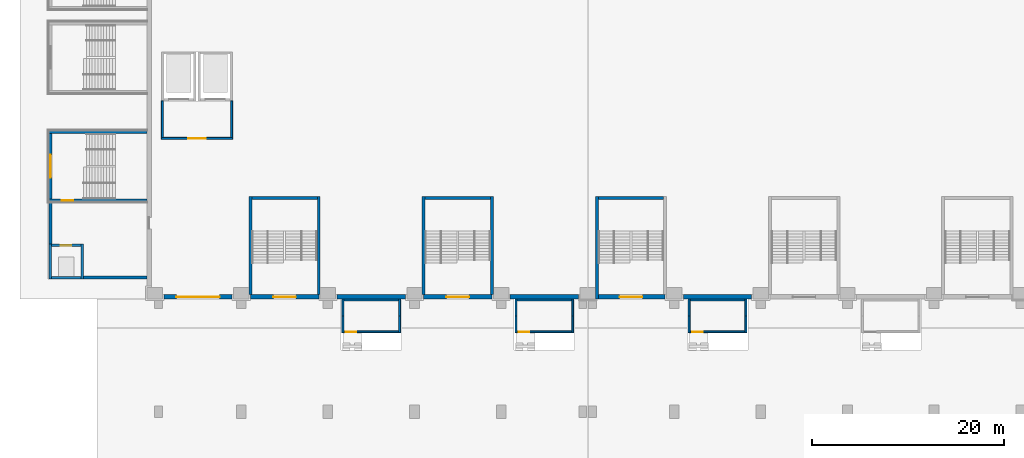
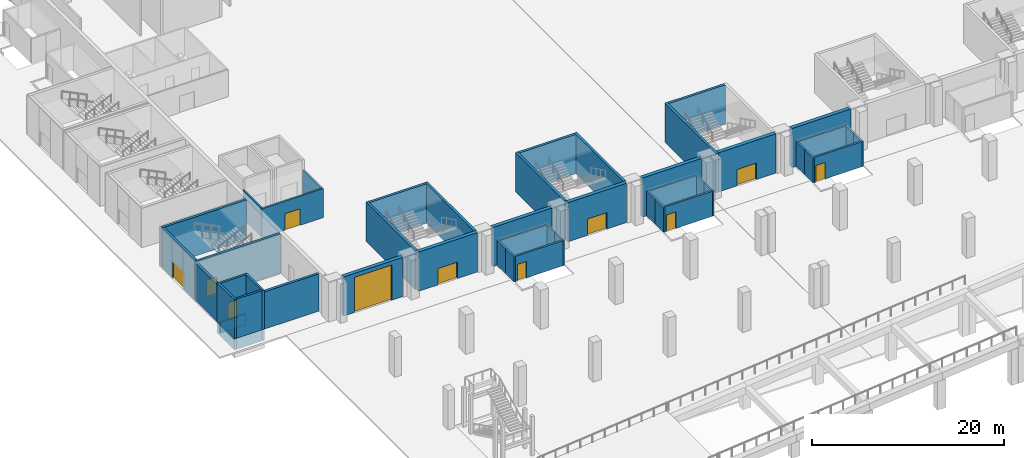
# One storey, part 37 of 77: 49 walls, 11 doors, 11 openings.
"""IFC4 building model written with IfcOpenShell, lengths in metres."""

import ifcopenshell
import ifcopenshell.guid

model = None  # the IFC model being written
_history = None  # IfcOwnerHistory: only IFC2X3 demands one
_inside = {}  # id of a spatial element -> (the spatial element, [elements in it])
_under = {}  # id of a project, library or spatial element -> (it, [spatial elements below it])
_declared = {}  # id of a project -> (the project, [libraries it declares])
_typed = {}  # id of a type object -> (the type object, [elements of that type])
_made_of = {}  # id of a material, layer set ... -> (it, [elements and type objects made of it])


def new_model(schema):
    """Start an empty IFC model of exactly this schema.

    Asked for "IFC4X3", IfcOpenShell would pick the latest addendum, in which some entities
    have other attributes; the version numbers below select the first issue.
    IFC2X3 requires an IfcOwnerHistory on every rooted entity: one is made here for all.
    """
    global model, _history
    if schema == "IFC4X3":
        model = ifcopenshell.file(schema_version=(4, 3, 0, 0))
    else:
        model = ifcopenshell.file(schema=schema)
    _inside.clear()
    _under.clear()
    _declared.clear()
    _typed.clear()
    _made_of.clear()
    _history = None
    if model.schema == "IFC2X3":
        org = make("IfcOrganization", Name="unknown")
        user = make(
            "IfcPersonAndOrganization",
            ThePerson=make("IfcPerson", FamilyName="unknown"),
            TheOrganization=org,
        )
        app = make(
            "IfcApplication",
            ApplicationDeveloper=org,
            Version="unknown",
            ApplicationFullName="unknown",
            ApplicationIdentifier="unknown",
        )
        _history = make(
            "IfcOwnerHistory",
            OwningUser=user,
            OwningApplication=app,
            ChangeAction="ADDED",
            CreationDate=0,
        )
    return model


def make(cls, **values):
    """One entity of the class cls with the attributes given. An attribute that is None is left unset."""
    return model.create_entity(
        cls, **{name: value for name, value in values.items() if value is not None}
    )


def rooted(cls, **values):
    """An entity with a GlobalId (a new one), such as an element, a storey or a relation."""
    return make(cls, GlobalId=ifcopenshell.guid.new(), OwnerHistory=_history, **values)


def si_unit(unit_type, name, prefix=None):
    """IfcSIUnit, for example si_unit("LENGTHUNIT", "METRE", prefix="MILLI")."""
    return make("IfcSIUnit", UnitType=unit_type, Prefix=prefix, Name=name)


def assignment(units):
    """IfcUnitAssignment: the units of a project."""
    return None if units is None else make("IfcUnitAssignment", Units=units)


def point(xyz):
    """IfcCartesianPoint."""
    return None if xyz is None else make("IfcCartesianPoint", Coordinates=xyz)


def direction(xyz):
    """IfcDirection."""
    return None if xyz is None else make("IfcDirection", DirectionRatios=xyz)


def frame(location, z_axis=None, x_axis=None):
    """IfcAxis2Placement3D, a coordinate frame: its origin and axes. An axis left out is left unset."""
    return make(
        "IfcAxis2Placement3D",
        Location=point(location),
        Axis=direction(z_axis),
        RefDirection=direction(x_axis),
    )


def frame_2d(location, x_axis=None):
    """IfcAxis2Placement2D, a coordinate frame in the plane: its origin and x axis."""
    return make(
        "IfcAxis2Placement2D", Location=point(location), RefDirection=direction(x_axis)
    )


def origin():
    """The frame at (0, 0, 0) with its axes left unset."""
    return frame((0.0, 0.0, 0.0))


def place(relative_to, where):
    """IfcLocalPlacement: puts the frame where relative to a parent placement (None: the world)."""
    return make(
        "IfcLocalPlacement", PlacementRelTo=relative_to, RelativePlacement=where
    )


def context(
    kind, dimensions, precision=None, world=None, true_north=None, identifier=None
):
    """IfcGeometricRepresentationContext, for example the 3D "Model" context."""
    return make(
        "IfcGeometricRepresentationContext",
        ContextIdentifier=identifier,
        ContextType=kind,
        CoordinateSpaceDimension=dimensions,
        Precision=precision,
        WorldCoordinateSystem=world,
        TrueNorth=true_north,
    )


def subcontext(parent, identifier, kind, view, scale=None):
    """IfcGeometricRepresentationSubContext, for example "Body" below "Model"."""
    return make(
        "IfcGeometricRepresentationSubContext",
        ContextIdentifier=identifier,
        ContextType=kind,
        ParentContext=parent,
        TargetScale=scale,
        TargetView=view,
    )


def project(units=None, contexts=None):
    """IfcProject with its units and contexts."""
    return rooted(
        "IfcProject",
        Name="project",
        RepresentationContexts=contexts,
        UnitsInContext=assignment(units),
    )


def spatial(cls, under=None, at=None, **own):
    """A site, building, storey or space (cls), placed at a placement, below another one or the project."""
    s = rooted(cls, ObjectPlacement=at, **own)
    if under is not None:
        _under.setdefault(under.id(), (under, []))[1].append(s)
    return s


def profile(cls, at=None, kind="AREA", **sizes):
    """A parametric profile (cls). Its sizes go by their IFC names, for example OverallWidth=200.0."""
    return make(cls, ProfileType=kind, Position=at, **sizes)


def rectangle(**sizes):
    """IfcRectangleProfileDef."""
    return profile("IfcRectangleProfileDef", **sizes)


def extrude(swept, where, along, depth):
    """IfcExtrudedAreaSolid: the profile swept, set in the frame where, extruded along a direction by depth."""
    return make(
        "IfcExtrudedAreaSolid",
        SweptArea=swept,
        Position=where,
        ExtrudedDirection=direction(along),
        Depth=depth,
    )


def shape(context_of_items, identifier, shape_type, items):
    """IfcShapeRepresentation: the items that make up one representation, for example the "Body"."""
    return make(
        "IfcShapeRepresentation",
        ContextOfItems=context_of_items,
        RepresentationIdentifier=identifier,
        RepresentationType=shape_type,
        Items=items,
    )


def material(Name=None, Category=None):
    """IfcMaterial."""
    return make("IfcMaterial", Name=Name, Category=Category)


def layer(
    of_material, thickness, ventilated=None, Name=None, Category=None, Priority=None
):
    """IfcMaterialLayer: one layer of a wall or slab, of a material (None: an air gap)."""
    return make(
        "IfcMaterialLayer",
        Material=of_material,
        LayerThickness=thickness,
        IsVentilated=ventilated,
        Name=Name,
        Category=Category,
        Priority=Priority,
    )


def layer_set(layers, Name=None):
    """IfcMaterialLayerSet."""
    return make("IfcMaterialLayerSet", MaterialLayers=layers, LayerSetName=Name)


def made_of(thing, what):
    """Note that an element or type object is made of a material, layer set ...; save() writes the relation."""
    if what is not None:
        _made_of.setdefault(what.id(), (what, []))[1].append(thing)
    return thing


def type_object(cls, material=None, **own):
    """A type object (cls), such as IfcWallType, which elements share."""
    return made_of(rooted(cls, **own), material)


def element(
    cls,
    number,
    at=None,
    inside=None,
    cuts=None,
    type_object=None,
    material=None,
    context=None,
    identifier="Body",
    shape_type=None,
    held_by="IfcProductDefinitionShape",
    body=None,
    shapes=None,
    **own,
):
    """One element of the class cls, such as IfcWall. Its Tag is "e" and its number.

    at: its placement. inside: the storey or other place that contains it. cuts: it is an
    opening in that element (IfcRelVoidsElement). A single representation is given by context,
    identifier, shape_type and body (its items); several are given by shapes. held_by: the class
    of the entity that holds the representations. save() writes the other relations.
    """
    e = rooted(cls, Tag="e%d" % number, ObjectPlacement=at, **own)
    if body is not None:
        shapes = [shape(context, identifier, shape_type, body)]
    if shapes is not None:
        e.Representation = make(held_by, Representations=shapes)
    if inside is not None:
        _inside.setdefault(inside.id(), (inside, []))[1].append(e)
    if cuts is not None:
        rooted(
            "IfcRelVoidsElement", RelatingBuildingElement=cuts, RelatedOpeningElement=e
        )
    if type_object is not None:
        _typed.setdefault(type_object.id(), (type_object, []))[1].append(e)
    return made_of(e, material)


def fill(opening, filler):
    """IfcRelFillsElement: the door or window that sits in an opening."""
    return rooted(
        "IfcRelFillsElement",
        RelatingOpeningElement=opening,
        RelatedBuildingElement=filler,
    )


def aggregate(whole, parts):
    """IfcRelAggregates: a whole, such as a stair, and the parts it consists of."""
    return rooted("IfcRelAggregates", RelatingObject=whole, RelatedObjects=parts)


def save(model, path):
    """Write the relations noted so far, then the file.

    IfcRelAggregates (storeys below a building ...), IfcRelContainedInSpatialStructure (elements
    in a storey), IfcRelDefinesByType, IfcRelAssociatesMaterial and IfcRelDeclares: one each for
    every whole, place, type object, material and project.
    """
    for whole, parts in _under.values():
        aggregate(whole, parts)
    for where, things in _inside.values():
        rooted(
            "IfcRelContainedInSpatialStructure",
            RelatedElements=things,
            RelatingStructure=where,
        )
    for kind, things in _typed.values():
        rooted("IfcRelDefinesByType", RelatedObjects=things, RelatingType=kind)
    for what, things in _made_of.values():
        rooted("IfcRelAssociatesMaterial", RelatedObjects=things, RelatingMaterial=what)
    for by, libraries in _declared.values():
        rooted("IfcRelDeclares", RelatingContext=by, RelatedDefinitions=libraries)
    model.write(path)


model = new_model("IFC4")

# Units and contexts
model_context = context("Model", 3, precision=1e-05, world=origin(), true_north=direction((0.0, 1.0)))
body_context = subcontext(model_context, "Body", "Model", "MODEL_VIEW")
ifc_project = project(units=[si_unit("LENGTHUNIT", "METRE"), si_unit("AREAUNIT", "SQUARE_METRE"), si_unit("VOLUMEUNIT", "CUBIC_METRE"), si_unit("PLANEANGLEUNIT", "RADIAN"), si_unit("MASSUNIT", "GRAM", prefix="KILO")], contexts=[model_context])

# Site, building, storey
site_placement = place(None, origin())
site = spatial("IfcSite", under=ifc_project, at=site_placement, CompositionType="ELEMENT")
building_placement = place(site_placement, origin())
building = spatial("IfcBuilding", under=site, at=building_placement, Name="Aravalli Gate Trade Fair Centre", CompositionType="ELEMENT")
storey_placement = place(building_placement, origin())
storey = spatial("IfcBuildingStorey", under=building, at=storey_placement, Name="L00", CompositionType="ELEMENT", Elevation=0.0)

# Walls
ifc_material_1 = material(Name="Concrete M35", Category="concrete")
ifc_layer_1 = layer(ifc_material_1, 0.199951171875)
ifc_layer_set_1 = layer_set([ifc_layer_1], Name="Concrete M35")
wall_type_1 = type_object("IfcWallType", Name="Basement stair enclosure wall 200", PredefinedType="SOLIDWALL", material=ifc_layer_set_1)
for number, where, z_axis, x_axis, name in (
    (1, (25.550048828125, 45.39990234375, 0.0), (0.0, 0.0, 1.0), (0.0, -1.0, 0.0), "Basement stair S1 enclosure wall L1 L00"),
    (2, (25.550048828125, 43.64990234375, 0.0), (0.0, 0.0, 1.0), (0.0, -1.0, 0.0), "Basement stair S1 enclosure wall L2 L00"),
    (3, (31.449951171875, 45.39990234375, 0.0), (0.0, 0.0, 1.0), (0.0, -1.0, 0.0), "Basement stair S1 enclosure wall R1 L00"),
    (4, (31.449951171875, 43.64990234375, 0.0), (0.0, 0.0, 1.0), (0.0, -1.0, 0.0), "Basement stair S1 enclosure wall R2 L00"),
):
    element("IfcWall", number, at=place(storey_placement, frame(where, z_axis=z_axis, x_axis=x_axis)), inside=storey, type_object=wall_type_1, Name=name, PredefinedType="SOLIDWALL", context=body_context, shape_type="SweptSolid", body=[
        extrude(rectangle(XDim=1.75, YDim=0.199951171875, at=frame_2d((0.875, 0.0))), origin(), (0.0, 0.0, 1.0), 3.199951171875),
    ])

# Wall, opening, door
wall_1_placement = place(storey_placement, frame((25.64990234375, 42.0, 0.0), z_axis=(0.0, 0.0, 1.0), x_axis=(1.0, 0.0, 0.0)))
wall_1 = element("IfcWall", 5, at=wall_1_placement, inside=storey, type_object=wall_type_1, Name="Basement stair S1 enclosure wall O L00", PredefinedType="SOLIDWALL", context=body_context, shape_type="SweptSolid", body=[
    extrude(rectangle(XDim=5.7001953125, YDim=0.199951171875, at=frame_2d((2.85009765625, 0.0))), origin(), (0.0, 0.0, 1.0), 3.199951171875),
])
opening_1_placement = place(wall_1_placement, frame((0.199951171875, 0.0, 0.0)))
opening_1 = element("IfcOpeningElement", 6, at=opening_1_placement, cuts=wall_1, Name="Opening B-L00-07", PredefinedType="OPENING", context=body_context, shape_type="SweptSolid", body=[
    extrude(rectangle(XDim=1.10009765625, YDim=2.10009765625, at=frame_2d((0.550048828125, 1.050048828125))), frame((0.0, 0.10986328125, 0.0), z_axis=(0.0, -1.0, 0.0), x_axis=(1.0, 0.0, 0.0)), (0.0, 0.0, 1.0), 0.219970703125),
])
ifc_material_2 = material(Name="Steel", Category="steel")
door_type_1 = type_object("IfcDoorType", Name="Basement stair door 1100x2100", OperationType="SINGLE_SWING_LEFT", PredefinedType="DOOR", material=ifc_material_2)
door_1_placement = place(opening_1_placement, frame((1.10009765625, 0.0, 0.0), z_axis=(0.0, 0.0, 1.0), x_axis=(-1.0, 0.0, 0.0)))
door_1 = element("IfcDoor", 7, at=door_1_placement, inside=storey, type_object=door_type_1, Name="Basement stair S1 discharge door", OperationType="SINGLE_SWING_RIGHT", OverallHeight=2.10009765625, OverallWidth=1.10009765625, PredefinedType="DOOR", context=body_context, shape_type="SweptSolid", body=[
    extrude(rectangle(XDim=1.10009765625, YDim=2.10009765625, at=frame_2d((0.550048828125, 1.050048828125))), frame((0.0, 0.02490234375, 0.0), z_axis=(0.0, -1.0, 0.0), x_axis=(1.0, 0.0, 0.0)), (0.0, 0.0, 1.0), 0.050048828125),
])
fill(opening_1, door_1)

# Walls
wall_2_placement = place(storey_placement, frame((25.64990234375, 45.300048828125, 0.0), z_axis=(0.0, 0.0, 1.0), x_axis=(1.0, 0.0, 0.0)))
element("IfcWall", 8, at=wall_2_placement, inside=storey, type_object=wall_type_1, Name="Basement stair S1 enclosure wall I L00", PredefinedType="SOLIDWALL", context=body_context, shape_type="SweptSolid", body=[
    extrude(rectangle(XDim=5.7001953125, YDim=0.199951171875, at=frame_2d((2.85009765625, 0.0))), origin(), (0.0, 0.0, 1.0), 3.199951171875),
])
for number, where, z_axis, x_axis, name in (
    (9, (43.550048828125, 45.39990234375, 0.0), (0.0, 0.0, 1.0), (0.0, -1.0, 0.0), "Basement stair S2 enclosure wall L1 L00"),
    (10, (43.550048828125, 43.64990234375, 0.0), (0.0, 0.0, 1.0), (0.0, -1.0, 0.0), "Basement stair S2 enclosure wall L2 L00"),
    (11, (49.449951171875, 45.39990234375, 0.0), (0.0, 0.0, 1.0), (0.0, -1.0, 0.0), "Basement stair S2 enclosure wall R1 L00"),
    (12, (49.449951171875, 43.64990234375, 0.0), (0.0, 0.0, 1.0), (0.0, -1.0, 0.0), "Basement stair S2 enclosure wall R2 L00"),
):
    element("IfcWall", number, at=place(storey_placement, frame(where, z_axis=z_axis, x_axis=x_axis)), inside=storey, type_object=wall_type_1, Name=name, PredefinedType="SOLIDWALL", context=body_context, shape_type="SweptSolid", body=[
        extrude(rectangle(XDim=1.75, YDim=0.199951171875, at=frame_2d((0.875, 0.0))), origin(), (0.0, 0.0, 1.0), 3.199951171875),
    ])

# Wall, opening, door
wall_3_placement = place(storey_placement, frame((43.64990234375, 42.0, 0.0), z_axis=(0.0, 0.0, 1.0), x_axis=(1.0, 0.0, 0.0)))
wall_3 = element("IfcWall", 13, at=wall_3_placement, inside=storey, type_object=wall_type_1, Name="Basement stair S2 enclosure wall O L00", PredefinedType="SOLIDWALL", context=body_context, shape_type="SweptSolid", body=[
    extrude(rectangle(XDim=5.7001953125, YDim=0.199951171875, at=frame_2d((2.85009765625, 0.0))), origin(), (0.0, 0.0, 1.0), 3.199951171875),
])
opening_2_placement = place(wall_3_placement, frame((0.199951171875, 0.0, 0.0)))
opening_2 = element("IfcOpeningElement", 14, at=opening_2_placement, cuts=wall_3, Name="Opening B-L00-08", PredefinedType="OPENING", context=body_context, shape_type="SweptSolid", body=[
    extrude(rectangle(XDim=1.10009765625, YDim=2.10009765625, at=frame_2d((0.550048828125, 1.050048828125))), frame((0.0, 0.10986328125, 0.0), z_axis=(0.0, -1.0, 0.0), x_axis=(1.0, 0.0, 0.0)), (0.0, 0.0, 1.0), 0.219970703125),
])
door_2_placement = place(opening_2_placement, frame((1.10009765625, 0.0, 0.0), z_axis=(0.0, 0.0, 1.0), x_axis=(-1.0, 0.0, 0.0)))
door_2 = element("IfcDoor", 15, at=door_2_placement, inside=storey, type_object=door_type_1, Name="Basement stair S2 discharge door", OperationType="SINGLE_SWING_LEFT", OverallHeight=2.10009765625, OverallWidth=1.10009765625, PredefinedType="DOOR", context=body_context, shape_type="SweptSolid", body=[
    extrude(rectangle(XDim=1.10009765625, YDim=2.10009765625, at=frame_2d((0.550048828125, 1.050048828125))), frame((0.0, 0.02490234375, 0.0), z_axis=(0.0, -1.0, 0.0), x_axis=(1.0, 0.0, 0.0)), (0.0, 0.0, 1.0), 0.050048828125),
])
fill(opening_2, door_2)

# Walls
wall_4_placement = place(storey_placement, frame((43.64990234375, 45.300048828125, 0.0), z_axis=(0.0, 0.0, 1.0), x_axis=(1.0, 0.0, 0.0)))
element("IfcWall", 16, at=wall_4_placement, inside=storey, type_object=wall_type_1, Name="Basement stair S2 enclosure wall I L00", PredefinedType="SOLIDWALL", context=body_context, shape_type="SweptSolid", body=[
    extrude(rectangle(XDim=5.7001953125, YDim=0.199951171875, at=frame_2d((2.85009765625, 0.0))), origin(), (0.0, 0.0, 1.0), 3.199951171875),
])
for number, where, z_axis, x_axis, name in (
    (17, (61.550048828125, 45.39990234375, 0.0), (0.0, 0.0, 1.0), (0.0, -1.0, 0.0), "Basement stair S3 enclosure wall L1 L00"),
    (18, (61.550048828125, 43.64990234375, 0.0), (0.0, 0.0, 1.0), (0.0, -1.0, 0.0), "Basement stair S3 enclosure wall L2 L00"),
    (19, (67.449951171875, 45.39990234375, 0.0), (0.0, 0.0, 1.0), (0.0, -1.0, 0.0), "Basement stair S3 enclosure wall R1 L00"),
    (20, (67.449951171875, 43.64990234375, 0.0), (0.0, 0.0, 1.0), (0.0, -1.0, 0.0), "Basement stair S3 enclosure wall R2 L00"),
):
    element("IfcWall", number, at=place(storey_placement, frame(where, z_axis=z_axis, x_axis=x_axis)), inside=storey, type_object=wall_type_1, Name=name, PredefinedType="SOLIDWALL", context=body_context, shape_type="SweptSolid", body=[
        extrude(rectangle(XDim=1.75, YDim=0.199951171875, at=frame_2d((0.875, 0.0))), origin(), (0.0, 0.0, 1.0), 3.199951171875),
    ])

# Wall, opening, door
wall_5_placement = place(storey_placement, frame((61.64990234375, 42.0, 0.0), z_axis=(0.0, 0.0, 1.0), x_axis=(1.0, 0.0, 0.0)))
wall_5 = element("IfcWall", 21, at=wall_5_placement, inside=storey, type_object=wall_type_1, Name="Basement stair S3 enclosure wall O L00", PredefinedType="SOLIDWALL", context=body_context, shape_type="SweptSolid", body=[
    extrude(rectangle(XDim=5.7001953125, YDim=0.199951171875, at=frame_2d((2.85009765625, 0.0))), origin(), (0.0, 0.0, 1.0), 3.199951171875),
])
opening_3_placement = place(wall_5_placement, frame((0.199951171875, 0.0, 0.0)))
opening_3 = element("IfcOpeningElement", 22, at=opening_3_placement, cuts=wall_5, Name="Opening B-L00-09", PredefinedType="OPENING", context=body_context, shape_type="SweptSolid", body=[
    extrude(rectangle(XDim=1.10009765625, YDim=2.10009765625, at=frame_2d((0.550048828125, 1.050048828125))), frame((0.0, 0.10986328125, 0.0), z_axis=(0.0, -1.0, 0.0), x_axis=(1.0, 0.0, 0.0)), (0.0, 0.0, 1.0), 0.219970703125),
])
door_3_placement = place(opening_3_placement, frame((1.10009765625, 0.0, 0.0), z_axis=(0.0, 0.0, 1.0), x_axis=(-1.0, 0.0, 0.0)))
door_3 = element("IfcDoor", 23, at=door_3_placement, inside=storey, type_object=door_type_1, Name="Basement stair S3 discharge door", OperationType="SINGLE_SWING_RIGHT", OverallHeight=2.10009765625, OverallWidth=1.10009765625, PredefinedType="DOOR", context=body_context, shape_type="SweptSolid", body=[
    extrude(rectangle(XDim=1.10009765625, YDim=2.10009765625, at=frame_2d((0.550048828125, 1.050048828125))), frame((0.0, 0.02490234375, 0.0), z_axis=(0.0, -1.0, 0.0), x_axis=(1.0, 0.0, 0.0)), (0.0, 0.0, 1.0), 0.050048828125),
])
fill(opening_3, door_3)

# Walls
wall_6_placement = place(storey_placement, frame((61.64990234375, 45.300048828125, 0.0), z_axis=(0.0, 0.0, 1.0), x_axis=(1.0, 0.0, 0.0)))
element("IfcWall", 24, at=wall_6_placement, inside=storey, type_object=wall_type_1, Name="Basement stair S3 enclosure wall I L00", PredefinedType="SOLIDWALL", context=body_context, shape_type="SweptSolid", body=[
    extrude(rectangle(XDim=5.7001953125, YDim=0.199951171875, at=frame_2d((2.85009765625, 0.0))), origin(), (0.0, 0.0, 1.0), 3.199951171875),
])
ifc_material_3 = material(Name="Concrete M40", Category="concrete")
ifc_layer_2 = layer(ifc_material_3, 0.300048828125)
ifc_layer_set_2 = layer_set([ifc_layer_2], Name="Concrete M40")
wall_type_2 = type_object("IfcWallType", Name="Firefighting block wall RC 300", PredefinedType="SHEAR", material=ifc_layer_set_2)
wall_7_placement = place(storey_placement, frame((-4.85009765625, 51.10009765625, 0.0), z_axis=(0.0, 0.0, 1.0), x_axis=(0.0, 1.0, 0.0)))
element("IfcWall", 25, at=wall_7_placement, inside=storey, type_object=wall_type_2, Name="Firefighting lobby west wall L00", PredefinedType="SHEAR", context=body_context, shape_type="SweptSolid", body=[
    extrude(rectangle(XDim=4.39990234375, YDim=0.300048828125, at=frame_2d((2.199951171875, 0.0))), origin(), (0.0, 0.0, 1.0), 4.75),
])
wall_8_placement = place(storey_placement, frame((-1.39990234375, 47.64990234375, 0.0), z_axis=(0.0, 0.0, 1.0), x_axis=(1.0, 0.0, 0.0)))
element("IfcWall", 26, at=wall_8_placement, inside=storey, type_object=wall_type_2, Name="Firefighting lobby south wall L00", PredefinedType="SHEAR", context=body_context, shape_type="SweptSolid", body=[
    extrude(rectangle(XDim=6.599853515625, YDim=0.300048828125, at=frame_2d((3.2998046875, 0.0))), origin(), (0.0, 0.0, 1.0), 4.75),
])
ifc_layer_3 = layer(ifc_material_3, 0.25)
ifc_layer_set_3 = layer_set([ifc_layer_3], Name="Concrete M40")
wall_type_3 = type_object("IfcWallType", Name="Firefighting shaft wall RC 250", PredefinedType="SHEAR", material=ifc_layer_set_3)
for number, where, z_axis, x_axis, name in (
    (27, (-4.875, 47.5, 0.0), (0.0, 0.0, 1.0), (0.0, 1.0, 0.0), "Firefighting lift shaft wall W L00"),
    (28, (-1.52490234375, 47.5, 0.0), (0.0, 0.0, 1.0), (0.0, 1.0, 0.0), "Firefighting lift shaft wall E L00"),
):
    element("IfcWall", number, at=place(storey_placement, frame(where, z_axis=z_axis, x_axis=x_axis)), inside=storey, type_object=wall_type_3, Name=name, PredefinedType="SHEAR", context=body_context, shape_type="SweptSolid", body=[
        extrude(rectangle(XDim=3.60009765625, YDim=0.25, at=frame_2d((1.800048828125, 0.0))), origin(), (0.0, 0.0, 1.0), 5.0),
    ])

# Wall, opening, door
wall_9_placement = place(storey_placement, frame((-4.75, 50.97509765625, 0.0), z_axis=(0.0, 0.0, 1.0), x_axis=(1.0, 0.0, 0.0)))
wall_9 = element("IfcWall", 29, at=wall_9_placement, inside=storey, type_object=wall_type_3, Name="Firefighting lift shaft wall F L00", PredefinedType="SHEAR", context=body_context, shape_type="SweptSolid", body=[
    extrude(rectangle(XDim=3.10009765625, YDim=0.25, at=frame_2d((1.550048828125, 0.0))), origin(), (0.0, 0.0, 1.0), 5.0),
])
opening_4_placement = place(wall_9_placement, frame((1.0, 0.0, 0.0)))
opening_4 = element("IfcOpeningElement", 30, at=opening_4_placement, cuts=wall_9, Name="Opening H-L00-41", PredefinedType="OPENING", context=body_context, shape_type="SweptSolid", body=[
    extrude(rectangle(XDim=1.10009765625, YDim=2.10009765625, at=frame_2d((0.550048828125, 1.050048828125))), frame((0.0, 0.135009765625, 0.0), z_axis=(0.0, -1.0, 0.0), x_axis=(1.0, 0.0, 0.0)), (0.0, 0.0, 1.0), 0.27001953125),
])
door_type_2 = type_object("IfcDoorType", Name="Firefighting lift landing door", OperationType="SLIDING_TO_LEFT", PredefinedType="DOOR", material=ifc_material_2)
door_4_placement = place(opening_4_placement, origin())
door_4 = element("IfcDoor", 31, at=door_4_placement, inside=storey, type_object=door_type_2, Name="Firefighting lift landing door L00", OperationType="SLIDING_TO_LEFT", OverallHeight=2.10009765625, OverallWidth=1.10009765625, PredefinedType="DOOR", context=body_context, shape_type="SweptSolid", body=[
    extrude(rectangle(XDim=1.10009765625, YDim=2.10009765625, at=frame_2d((0.550048828125, 1.050048828125))), frame((0.0, 0.02490234375, 0.0), z_axis=(0.0, -1.0, 0.0), x_axis=(1.0, 0.0, 0.0)), (0.0, 0.0, 1.0), 0.050048828125),
])
fill(opening_4, door_4)

# Walls
wall_10_placement = place(storey_placement, frame((-4.75, 47.625, 0.0), z_axis=(0.0, 0.0, 1.0), x_axis=(1.0, 0.0, 0.0)))
element("IfcWall", 32, at=wall_10_placement, inside=storey, type_object=wall_type_3, Name="Firefighting lift shaft wall B L00", PredefinedType="SHEAR", context=body_context, shape_type="SweptSolid", body=[
    extrude(rectangle(XDim=3.10009765625, YDim=0.25, at=frame_2d((1.550048828125, 0.0))), origin(), (0.0, 0.0, 1.0), 5.0),
])
for number, where, z_axis, x_axis, name in (
    (33, (-4.875, 47.5, -1.39990234375), (0.0, 0.0, 1.0), (0.0, 1.0, 0.0), "Firefighting lift pit wall W"),
    (34, (-1.52490234375, 47.5, -1.39990234375), (0.0, 0.0, 1.0), (0.0, 1.0, 0.0), "Firefighting lift pit wall E"),
):
    element("IfcWall", number, at=place(storey_placement, frame(where, z_axis=z_axis, x_axis=x_axis)), inside=storey, type_object=wall_type_3, Name=name, PredefinedType="SHEAR", context=body_context, shape_type="SweptSolid", body=[
        extrude(rectangle(XDim=3.60009765625, YDim=0.25, at=frame_2d((1.800048828125, 0.0))), origin(), (0.0, 0.0, 1.0), 1.39990234375),
    ])
for number, where, z_axis, x_axis, name in (
    (35, (-4.75, 50.97509765625, -1.39990234375), (0.0, 0.0, 1.0), (1.0, 0.0, 0.0), "Firefighting lift pit wall F"),
    (36, (-4.75, 47.625, -1.39990234375), (0.0, 0.0, 1.0), (1.0, 0.0, 0.0), "Firefighting lift pit wall B"),
):
    element("IfcWall", number, at=place(storey_placement, frame(where, z_axis=z_axis, x_axis=x_axis)), inside=storey, type_object=wall_type_3, Name=name, PredefinedType="SHEAR", context=body_context, shape_type="SweptSolid", body=[
        extrude(rectangle(XDim=3.10009765625, YDim=0.25, at=frame_2d((1.550048828125, 0.0))), origin(), (0.0, 0.0, 1.0), 1.39990234375),
    ])

# Wall, opening, door
ifc_layer_4 = layer(ifc_material_3, 0.199951171875)
ifc_layer_set_4 = layer_set([ifc_layer_4], Name="Concrete M40")
wall_type_4 = type_object("IfcWallType", Name="Freight lobby wall RC 200", PredefinedType="SOLIDWALL", material=ifc_layer_set_4)
wall_11_placement = place(storey_placement, frame((6.699951171875, 62.10009765625, 0.0), z_axis=(0.0, 0.0, 1.0), x_axis=(1.0, 0.0, 0.0)))
wall_11 = element("IfcWall", 37, at=wall_11_placement, inside=storey, type_object=wall_type_4, Name="Freight lift lobby wall S L00", PredefinedType="SOLIDWALL", context=body_context, shape_type="SweptSolid", body=[
    extrude(rectangle(XDim=7.400146484375, YDim=0.199951171875, at=frame_2d((3.7001953125, 0.0))), origin(), (0.0, 0.0, 1.0), 3.699951171875),
])
opening_5_placement = place(wall_11_placement, frame((2.800048828125, 0.0, 0.0)))
opening_5 = element("IfcOpeningElement", 38, at=opening_5_placement, cuts=wall_11, Name="Opening H-L00-38", PredefinedType="OPENING", context=body_context, shape_type="SweptSolid", body=[
    extrude(rectangle(XDim=1.800048828125, YDim=2.10009765625, at=frame_2d((0.89990234375, 1.050048828125))), frame((0.0, 0.10986328125, 0.0), z_axis=(0.0, -1.0, 0.0), x_axis=(1.0, 0.0, 0.0)), (0.0, 0.0, 1.0), 0.219970703125),
])
door_type_3 = type_object("IfcDoorType", Name="Hall lift lobby double door FD120", OperationType="DOUBLE_DOOR_SINGLE_SWING", PredefinedType="DOOR", material=ifc_material_2)
door_5_placement = place(opening_5_placement, origin())
door_5 = element("IfcDoor", 39, at=door_5_placement, inside=storey, type_object=door_type_3, Name="Freight lift lobby door L00", OperationType="DOUBLE_DOOR_SINGLE_SWING", OverallHeight=2.10009765625, OverallWidth=1.800048828125, PredefinedType="DOOR", context=body_context, shape_type="SweptSolid", body=[
    extrude(rectangle(XDim=1.800048828125, YDim=2.10009765625, at=frame_2d((0.89990234375, 1.050048828125))), frame((0.0, 0.02490234375, 0.0), z_axis=(0.0, -1.0, 0.0), x_axis=(1.0, 0.0, 0.0)), (0.0, 0.0, 1.0), 0.050048828125),
])
fill(opening_5, door_5)

# Walls
for number, where, z_axis, x_axis, name in (
    (40, (6.800048828125, 62.199951171875, 0.0), (0.0, 0.0, 1.0), (0.0, 1.0, 0.0), "Freight lift lobby wall W L00"),
    (41, (14.0, 62.199951171875, 0.0), (0.0, 0.0, 1.0), (0.0, 1.0, 0.0), "Freight lift lobby wall E L00"),
):
    element("IfcWall", number, at=place(storey_placement, frame(where, z_axis=z_axis, x_axis=x_axis)), inside=storey, type_object=wall_type_4, Name=name, PredefinedType="SOLIDWALL", context=body_context, shape_type="SweptSolid", body=[
        extrude(rectangle(XDim=3.800048828125, YDim=0.199951171875, at=frame_2d((1.89990234375, 0.0))), origin(), (0.0, 0.0, 1.0), 3.699951171875),
    ])

# Wall, opening, door
ifc_layer_5 = layer(ifc_material_3, 0.25, Name="Structural wall")
ifc_material_4 = material(Name="Ventilated air cavity")
ifc_layer_6 = layer(ifc_material_4, 0.10009765625, ventilated=True, Name="Ventilated cavity")
ifc_material_5 = material(Name="Dholpur sandstone", Category="masonry")
ifc_layer_7 = layer(ifc_material_5, 0.10009765625, Name="Stone facing")
ifc_layer_set_5 = layer_set([ifc_layer_5, ifc_layer_6, ifc_layer_7], Name="Hall external wall 450 stone base")
wall_type_5 = type_object("IfcWallType", Name="Hall external wall 450 stone base", PredefinedType="SOLIDWALL", material=ifc_layer_set_5)
wall_12_placement = place(storey_placement, frame((6.949951171875, 45.625, 0.0), z_axis=(0.0, 0.0, 1.0), x_axis=(1.0, 0.0, 0.0)))
wall_12 = element("IfcWall", 42, at=wall_12_placement, inside=storey, type_object=wall_type_5, Name="Hall south wall bay 1 L00", PredefinedType="SOLIDWALL", context=body_context, shape_type="SweptSolid", body=[
    extrude(rectangle(XDim=7.10009765625, YDim=0.449951171875, at=frame_2d((3.550048828125, 0.0))), origin(), (0.0, 0.0, 1.0), 5.0),
])
opening_6_placement = place(wall_12_placement, frame((1.300048828125, 0.0, 0.0)))
opening_6 = element("IfcOpeningElement", 43, at=opening_6_placement, cuts=wall_12, Name="Opening H-L00-01", PredefinedType="OPENING", context=body_context, shape_type="SweptSolid", body=[
    extrude(rectangle(XDim=4.5, YDim=4.5, at=frame_2d((2.25, 2.25))), frame((0.0, 0.23486328125, 0.0), z_axis=(0.0, -1.0, 0.0), x_axis=(1.0, 0.0, 0.0)), (0.0, 0.0, 1.0), 0.469970703125),
])
door_type_4 = type_object("IfcDoorType", Name="Dock rolling shutter 4500x4500", OperationType="ROLLINGUP", PredefinedType="DOOR", material=ifc_material_2)
door_6_placement = place(opening_6_placement, frame((4.5, 0.0, 0.0), z_axis=(0.0, 0.0, 1.0), x_axis=(-1.0, 0.0, 0.0)))
door_6 = element("IfcDoor", 44, at=door_6_placement, inside=storey, type_object=door_type_4, Name="Dock shutter bay 1", OperationType="ROLLINGUP", OverallHeight=4.5, OverallWidth=4.5, PredefinedType="DOOR", context=body_context, shape_type="SweptSolid", body=[
    extrude(rectangle(XDim=4.5, YDim=4.5, at=frame_2d((2.25, 2.25))), frame((0.0, 0.02490234375, 0.0), z_axis=(0.0, -1.0, 0.0), x_axis=(1.0, 0.0, 0.0)), (0.0, 0.0, 1.0), 0.050048828125),
])
fill(opening_6, door_6)

wall_13_placement = place(storey_placement, frame((15.949951171875, 45.625, 0.0), z_axis=(0.0, 0.0, 1.0), x_axis=(1.0, 0.0, 0.0)))
wall_13 = element("IfcWall", 45, at=wall_13_placement, inside=storey, type_object=wall_type_5, Name="Hall south wall bay 2 L00", PredefinedType="SOLIDWALL", context=body_context, shape_type="SweptSolid", body=[
    extrude(rectangle(XDim=7.10009765625, YDim=0.449951171875, at=frame_2d((3.550048828125, 0.0))), origin(), (0.0, 0.0, 1.0), 5.0),
])
opening_7_placement = place(wall_13_placement, frame((2.375, 0.0, 0.0)))
opening_7 = element("IfcOpeningElement", 46, at=opening_7_placement, cuts=wall_13, Name="Opening H-L00-04", PredefinedType="OPENING", context=body_context, shape_type="SweptSolid", body=[
    extrude(rectangle(XDim=2.35009765625, YDim=2.10009765625, at=frame_2d((1.175048828125, 1.050048828125))), frame((0.0, 0.23486328125, 0.0), z_axis=(0.0, -1.0, 0.0), x_axis=(1.0, 0.0, 0.0)), (0.0, 0.0, 1.0), 0.469970703125),
])
door_type_5 = type_object("IfcDoorType", Name="Stair exit double door FD120", OperationType="DOUBLE_DOOR_SINGLE_SWING", PredefinedType="DOOR", material=ifc_material_2)
door_7_placement = place(opening_7_placement, frame((2.35009765625, 0.0, 0.0), z_axis=(0.0, 0.0, 1.0), x_axis=(-1.0, 0.0, 0.0)))
door_7 = element("IfcDoor", 47, at=door_7_placement, inside=storey, type_object=door_type_5, Name="Exit door ST-S02 L00", OperationType="DOUBLE_DOOR_SINGLE_SWING", OverallHeight=2.10009765625, OverallWidth=2.35009765625, PredefinedType="DOOR", context=body_context, shape_type="SweptSolid", body=[
    extrude(rectangle(XDim=2.35009765625, YDim=2.10009765625, at=frame_2d((1.175048828125, 1.050048828125))), frame((0.0, 0.02490234375, 0.0), z_axis=(0.0, -1.0, 0.0), x_axis=(1.0, 0.0, 0.0)), (0.0, 0.0, 1.0), 0.050048828125),
])
fill(opening_7, door_7)

# Wall
wall_14_placement = place(storey_placement, frame((24.949951171875, 45.625, 0.0), z_axis=(0.0, 0.0, 1.0), x_axis=(1.0, 0.0, 0.0)))
element("IfcWall", 48, at=wall_14_placement, inside=storey, type_object=wall_type_5, Name="Hall south wall bay 3 L00", PredefinedType="SOLIDWALL", context=body_context, shape_type="SweptSolid", body=[
    extrude(rectangle(XDim=7.10009765625, YDim=0.449951171875, at=frame_2d((3.550048828125, 0.0))), origin(), (0.0, 0.0, 1.0), 5.0),
])

# Wall, opening, door
wall_15_placement = place(storey_placement, frame((33.949951171875, 45.625, 0.0), z_axis=(0.0, 0.0, 1.0), x_axis=(1.0, 0.0, 0.0)))
wall_15 = element("IfcWall", 49, at=wall_15_placement, inside=storey, type_object=wall_type_5, Name="Hall south wall bay 4 L00", PredefinedType="SOLIDWALL", context=body_context, shape_type="SweptSolid", body=[
    extrude(rectangle(XDim=7.10009765625, YDim=0.449951171875, at=frame_2d((3.550048828125, 0.0))), origin(), (0.0, 0.0, 1.0), 5.0),
])
opening_8_placement = place(wall_15_placement, frame((2.375, 0.0, 0.0)))
opening_8 = element("IfcOpeningElement", 50, at=opening_8_placement, cuts=wall_15, Name="Opening H-L00-08", PredefinedType="OPENING", context=body_context, shape_type="SweptSolid", body=[
    extrude(rectangle(XDim=2.35009765625, YDim=2.10009765625, at=frame_2d((1.175048828125, 1.050048828125))), frame((0.0, 0.23486328125, 0.0), z_axis=(0.0, -1.0, 0.0), x_axis=(1.0, 0.0, 0.0)), (0.0, 0.0, 1.0), 0.469970703125),
])
door_8_placement = place(opening_8_placement, frame((2.35009765625, 0.0, 0.0), z_axis=(0.0, 0.0, 1.0), x_axis=(-1.0, 0.0, 0.0)))
door_8 = element("IfcDoor", 51, at=door_8_placement, inside=storey, type_object=door_type_5, Name="Exit door ST-S04 L00", OperationType="DOUBLE_DOOR_SINGLE_SWING", OverallHeight=2.10009765625, OverallWidth=2.35009765625, PredefinedType="DOOR", context=body_context, shape_type="SweptSolid", body=[
    extrude(rectangle(XDim=2.35009765625, YDim=2.10009765625, at=frame_2d((1.175048828125, 1.050048828125))), frame((0.0, 0.02490234375, 0.0), z_axis=(0.0, -1.0, 0.0), x_axis=(1.0, 0.0, 0.0)), (0.0, 0.0, 1.0), 0.050048828125),
])
fill(opening_8, door_8)

# Wall
wall_16_placement = place(storey_placement, frame((42.949951171875, 45.625, 0.0), z_axis=(0.0, 0.0, 1.0), x_axis=(1.0, 0.0, 0.0)))
element("IfcWall", 52, at=wall_16_placement, inside=storey, type_object=wall_type_5, Name="Hall south wall bay 5 L00", PredefinedType="SOLIDWALL", context=body_context, shape_type="SweptSolid", body=[
    extrude(rectangle(XDim=7.10009765625, YDim=0.449951171875, at=frame_2d((3.550048828125, 0.0))), origin(), (0.0, 0.0, 1.0), 5.0),
])

# Wall, opening, door
wall_17_placement = place(storey_placement, frame((52.10009765625, 45.625, 0.0), z_axis=(0.0, 0.0, 1.0), x_axis=(1.0, 0.0, 0.0)))
wall_17 = element("IfcWall", 53, at=wall_17_placement, inside=storey, type_object=wall_type_5, Name="Hall south wall bay 6 L00", PredefinedType="SOLIDWALL", context=body_context, shape_type="SweptSolid", body=[
    extrude(rectangle(XDim=6.949951171875, YDim=0.449951171875, at=frame_2d((3.47509765625, 0.0))), origin(), (0.0, 0.0, 1.0), 5.0),
])
opening_9_placement = place(wall_17_placement, frame((2.22509765625, 0.0, 0.0)))
opening_9 = element("IfcOpeningElement", 54, at=opening_9_placement, cuts=wall_17, Name="Opening H-L00-12", PredefinedType="OPENING", context=body_context, shape_type="SweptSolid", body=[
    extrude(rectangle(XDim=2.35009765625, YDim=2.10009765625, at=frame_2d((1.175048828125, 1.050048828125))), frame((0.0, 0.23486328125, 0.0), z_axis=(0.0, -1.0, 0.0), x_axis=(1.0, 0.0, 0.0)), (0.0, 0.0, 1.0), 0.469970703125),
])
door_9_placement = place(opening_9_placement, frame((2.35009765625, 0.0, 0.0), z_axis=(0.0, 0.0, 1.0), x_axis=(-1.0, 0.0, 0.0)))
door_9 = element("IfcDoor", 55, at=door_9_placement, inside=storey, type_object=door_type_5, Name="Exit door ST-S06 L00", OperationType="DOUBLE_DOOR_SINGLE_SWING", OverallHeight=2.10009765625, OverallWidth=2.35009765625, PredefinedType="DOOR", context=body_context, shape_type="SweptSolid", body=[
    extrude(rectangle(XDim=2.35009765625, YDim=2.10009765625, at=frame_2d((1.175048828125, 1.050048828125))), frame((0.0, 0.02490234375, 0.0), z_axis=(0.0, -1.0, 0.0), x_axis=(1.0, 0.0, 0.0)), (0.0, 0.0, 1.0), 0.050048828125),
])
fill(opening_9, door_9)

# Walls
wall_18_placement = place(storey_placement, frame((60.949951171875, 45.625, 0.0), z_axis=(0.0, 0.0, 1.0), x_axis=(1.0, 0.0, 0.0)))
element("IfcWall", 56, at=wall_18_placement, inside=storey, type_object=wall_type_5, Name="Hall south wall bay 7 L00", PredefinedType="SOLIDWALL", context=body_context, shape_type="SweptSolid", body=[
    extrude(rectangle(XDim=7.10009765625, YDim=0.449951171875, at=frame_2d((3.550048828125, 0.0))), origin(), (0.0, 0.0, 1.0), 5.0),
])
ifc_layer_8 = layer(ifc_material_3, 0.300048828125)
ifc_layer_set_6 = layer_set([ifc_layer_8], Name="Concrete M40")
wall_type_6 = type_object("IfcWallType", Name="Stair tower wall RC 300", PredefinedType="SHEAR", material=ifc_layer_set_6)
for number, where, z_axis, x_axis, name in (
    (57, (15.949951171875, 45.85009765625, 0.0), (0.0, 0.0, 1.0), (0.0, 1.0, 0.0), "Stair tower S02 wall W L00"),
    (58, (23.050048828125, 45.85009765625, 0.0), (0.0, 0.0, 1.0), (0.0, 1.0, 0.0), "Stair tower S02 wall E L00"),
):
    element("IfcWall", number, at=place(storey_placement, frame(where, z_axis=z_axis, x_axis=x_axis)), inside=storey, type_object=wall_type_6, Name=name, PredefinedType="SHEAR", context=body_context, shape_type="SweptSolid", body=[
        extrude(rectangle(XDim=10.199951171875, YDim=0.300048828125, at=frame_2d((5.10009765625, 0.0))), origin(), (0.0, 0.0, 1.0), 5.0),
    ])
wall_19_placement = place(storey_placement, frame((16.10009765625, 55.89990234375, 0.0), z_axis=(0.0, 0.0, 1.0), x_axis=(1.0, 0.0, 0.0)))
element("IfcWall", 59, at=wall_19_placement, inside=storey, type_object=wall_type_6, Name="Stair tower S02 wall F L00", PredefinedType="SHEAR", context=body_context, shape_type="SweptSolid", body=[
    extrude(rectangle(XDim=6.7998046875, YDim=0.300048828125, at=frame_2d((3.39990234375, 0.0))), origin(), (0.0, 0.0, 1.0), 5.0),
])
for number, where, z_axis, x_axis, name in (
    (60, (33.949951171875, 45.85009765625, 0.0), (0.0, 0.0, 1.0), (0.0, 1.0, 0.0), "Stair tower S04 wall W L00"),
    (61, (41.050048828125, 45.85009765625, 0.0), (0.0, 0.0, 1.0), (0.0, 1.0, 0.0), "Stair tower S04 wall E L00"),
):
    element("IfcWall", number, at=place(storey_placement, frame(where, z_axis=z_axis, x_axis=x_axis)), inside=storey, type_object=wall_type_6, Name=name, PredefinedType="SHEAR", context=body_context, shape_type="SweptSolid", body=[
        extrude(rectangle(XDim=10.199951171875, YDim=0.300048828125, at=frame_2d((5.10009765625, 0.0))), origin(), (0.0, 0.0, 1.0), 5.0),
    ])
wall_20_placement = place(storey_placement, frame((34.10009765625, 55.89990234375, 0.0), z_axis=(0.0, 0.0, 1.0), x_axis=(1.0, 0.0, 0.0)))
element("IfcWall", 62, at=wall_20_placement, inside=storey, type_object=wall_type_6, Name="Stair tower S04 wall F L00", PredefinedType="SHEAR", context=body_context, shape_type="SweptSolid", body=[
    extrude(rectangle(XDim=6.7998046875, YDim=0.300048828125, at=frame_2d((3.39990234375, 0.0))), origin(), (0.0, 0.0, 1.0), 5.0),
])
wall_21_placement = place(storey_placement, frame((51.949951171875, 45.39990234375, 0.0), z_axis=(0.0, 0.0, 1.0), x_axis=(0.0, 1.0, 0.0)))
element("IfcWall", 63, at=wall_21_placement, inside=storey, type_object=wall_type_6, Name="Stair tower S06 wall W L00", PredefinedType="SHEAR", context=body_context, shape_type="SweptSolid", body=[
    extrude(rectangle(XDim=10.650146484375, YDim=0.300048828125, at=frame_2d((5.3251953125, 0.0))), origin(), (0.0, 0.0, 1.0), 5.0),
])
wall_22_placement = place(storey_placement, frame((52.10009765625, 55.89990234375, 0.0), z_axis=(0.0, 0.0, 1.0), x_axis=(1.0, 0.0, 0.0)))
element("IfcWall", 64, at=wall_22_placement, inside=storey, type_object=wall_type_6, Name="Stair tower S06 wall F L00", PredefinedType="SHEAR", context=body_context, shape_type="SweptSolid", body=[
    extrude(rectangle(XDim=6.7998046875, YDim=0.300048828125, at=frame_2d((3.39990234375, 0.0))), origin(), (0.0, 0.0, 1.0), 5.0),
])

# Wall, opening, door
wall_23_placement = place(storey_placement, frame((5.199951171875, 55.64990234375, 0.0), z_axis=(0.0, 0.0, 1.0), x_axis=(-1.0, 0.0, 0.0)))
wall_23 = element("IfcWall", 65, at=wall_23_placement, inside=storey, type_object=wall_type_6, Name="Stair tower W1 wall W L00", PredefinedType="SHEAR", context=body_context, shape_type="SweptSolid", body=[
    extrude(rectangle(XDim=10.199951171875, YDim=0.300048828125, at=frame_2d((5.10009765625, 0.0))), origin(), (0.0, 0.0, 1.0), 5.0),
])
opening_10_placement = place(wall_23_placement, frame((7.64990234375, 0.0, 0.0)))
opening_10 = element("IfcOpeningElement", 66, at=opening_10_placement, cuts=wall_23, Name="Opening H-L00-40", PredefinedType="OPENING", context=body_context, shape_type="SweptSolid", body=[
    extrude(rectangle(XDim=1.199951171875, YDim=2.10009765625, at=frame_2d((0.60009765625, 1.050048828125))), frame((0.0, 0.159912109375, 0.0), z_axis=(0.0, -1.0, 0.0), x_axis=(1.0, 0.0, 0.0)), (0.0, 0.0, 1.0), 0.320068359375),
])
door_type_6 = type_object("IfcDoorType", Name="Firefighting lobby door FD120", OperationType="SINGLE_SWING_LEFT", PredefinedType="DOOR", material=ifc_material_2)
door_10_placement = place(opening_10_placement, frame((1.199951171875, 0.0, 0.0), z_axis=(0.0, 0.0, 1.0), x_axis=(-1.0, 0.0, 0.0)))
door_10 = element("IfcDoor", 67, at=door_10_placement, inside=storey, type_object=door_type_6, Name="Firefighting lobby door L00 stair", OperationType="SINGLE_SWING_LEFT", OverallHeight=2.10009765625, OverallWidth=1.199951171875, PredefinedType="DOOR", context=body_context, shape_type="SweptSolid", body=[
    extrude(rectangle(XDim=1.199951171875, YDim=2.10009765625, at=frame_2d((0.60009765625, 1.050048828125))), frame((0.0, 0.02490234375, 0.0), z_axis=(0.0, -1.0, 0.0), x_axis=(1.0, 0.0, 0.0)), (0.0, 0.0, 1.0), 0.050048828125),
])
fill(opening_10, door_10)

# Wall
wall_24_placement = place(storey_placement, frame((5.199951171875, 62.75, 0.0), z_axis=(0.0, 0.0, 1.0), x_axis=(-1.0, 0.0, 0.0)))
element("IfcWall", 68, at=wall_24_placement, inside=storey, type_object=wall_type_6, Name="Stair tower W1 wall E L00", PredefinedType="SHEAR", context=body_context, shape_type="SweptSolid", body=[
    extrude(rectangle(XDim=10.199951171875, YDim=0.300048828125, at=frame_2d((5.10009765625, 0.0))), origin(), (0.0, 0.0, 1.0), 5.0),
])

# Wall, opening, door
wall_25_placement = place(storey_placement, frame((-4.85009765625, 55.800048828125, 0.0), z_axis=(0.0, 0.0, 1.0), x_axis=(0.0, 1.0, 0.0)))
wall_25 = element("IfcWall", 69, at=wall_25_placement, inside=storey, type_object=wall_type_6, Name="Stair tower W1 wall F L00", PredefinedType="SHEAR", context=body_context, shape_type="SweptSolid", body=[
    extrude(rectangle(XDim=6.800048828125, YDim=0.300048828125, at=frame_2d((3.39990234375, 0.0))), origin(), (0.0, 0.0, 1.0), 5.0),
])
opening_11_placement = place(wall_25_placement, frame((2.22509765625, 0.0, 0.0)))
opening_11 = element("IfcOpeningElement", 70, at=opening_11_placement, cuts=wall_25, Name="Opening H-L00-24", PredefinedType="OPENING", context=body_context, shape_type="SweptSolid", body=[
    extrude(rectangle(XDim=2.35009765625, YDim=2.10009765625, at=frame_2d((1.175048828125, 1.050048828125))), frame((0.0, 0.159912109375, 0.0), z_axis=(0.0, -1.0, 0.0), x_axis=(1.0, 0.0, 0.0)), (0.0, 0.0, 1.0), 0.320068359375),
])
door_type_7 = type_object("IfcDoorType", Name="Stair lobby double door FD120", OperationType="DOUBLE_DOOR_SINGLE_SWING", PredefinedType="DOOR", material=ifc_material_2)
door_11_placement = place(opening_11_placement, origin())
door_11 = element("IfcDoor", 71, at=door_11_placement, inside=storey, type_object=door_type_7, Name="Exit door ST-W1 L00", OperationType="DOUBLE_DOOR_SINGLE_SWING", OverallHeight=2.10009765625, OverallWidth=2.35009765625, PredefinedType="DOOR", context=body_context, shape_type="SweptSolid", body=[
    extrude(rectangle(XDim=2.35009765625, YDim=2.10009765625, at=frame_2d((1.175048828125, 1.050048828125))), frame((0.0, 0.02490234375, 0.0), z_axis=(0.0, -1.0, 0.0), x_axis=(1.0, 0.0, 0.0)), (0.0, 0.0, 1.0), 0.050048828125),
])
fill(opening_11, door_11)

save(model, "model.ifc")
